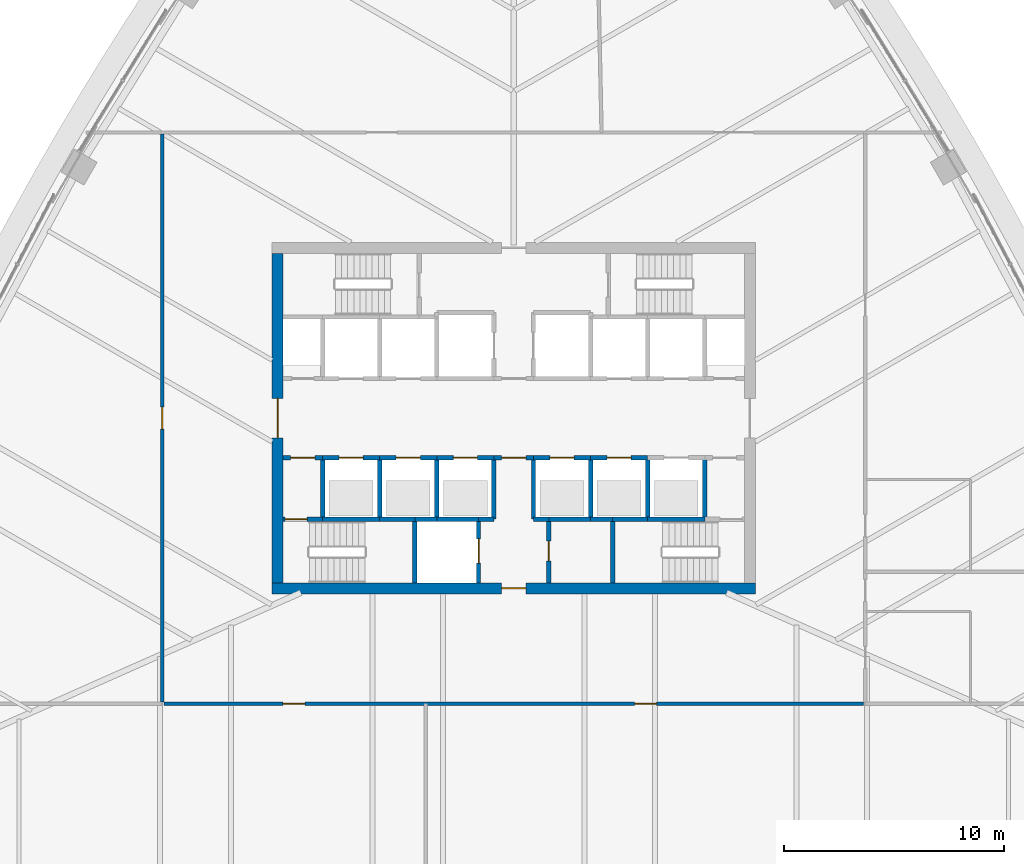
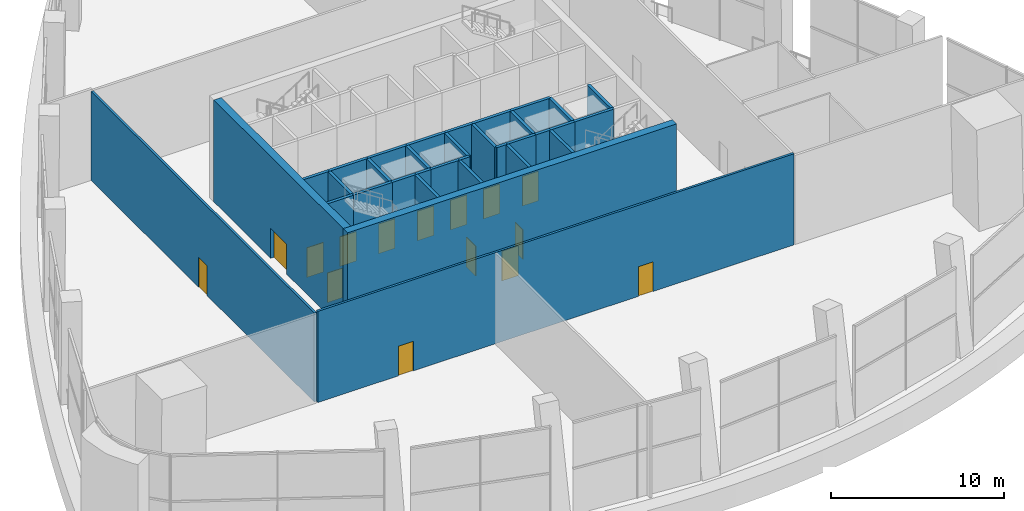
# One storey, part 13 of 23: 34 walls, 15 doors, 15 openings.
"""IFC4 building model written with IfcOpenShell, lengths in metres."""

from ifc_helpers import new_model, si_unit, direction, frame, frame_2d, origin, place, context, subcontext, project, spatial, rectangle, extrude, material, layer, layer_set, type_object, element, fill, save


model = new_model("IFC4")

# Units and contexts
model_context = context("Model", 3, precision=1e-05, world=origin(), true_north=direction((0.0, 1.0)))
body_context = subcontext(model_context, "Body", "Model", "MODEL_VIEW")
ifc_project = project(units=[si_unit("LENGTHUNIT", "METRE"), si_unit("AREAUNIT", "SQUARE_METRE"), si_unit("VOLUMEUNIT", "CUBIC_METRE"), si_unit("PLANEANGLEUNIT", "RADIAN"), si_unit("MASSUNIT", "GRAM", prefix="KILO")], contexts=[model_context])

# Site, building, storey
site_placement = place(None, origin())
site = spatial("IfcSite", under=ifc_project, at=site_placement, CompositionType="ELEMENT")
building_placement = place(site_placement, origin())
building = spatial("IfcBuilding", under=site, at=building_placement, Name="Sierra Prisma Convention Tower", CompositionType="ELEMENT")
storey_placement = place(building_placement, frame((0.0, 0.0, 40.800048828125)))
storey = spatial("IfcBuildingStorey", under=building, at=storey_placement, Name="L06", CompositionType="ELEMENT", Elevation=40.800048828125)

# Wall, opening, door
ifc_material_1 = material(Name="Concrete C30/37", Category="concrete")
ifc_layer_1 = layer(ifc_material_1, 0.199951171875)
ifc_layer_set_1 = layer_set([ifc_layer_1], Name="Core wall RC 200 C30/37")
wall_type_1 = type_object("IfcWallType", Name="Core wall RC 200 C30/37", PredefinedType="SOLIDWALL", material=ifc_layer_set_1)
wall_1_placement = place(storey_placement, frame((-10.5, -4.60009765625, 0.0), z_axis=(0.0, 0.0, 1.0), x_axis=(1.0, 0.0, 0.0)))
wall_1 = element("IfcWall", 1, at=wall_1_placement, inside=storey, type_object=wall_type_1, Name="Core wall L06 1", PredefinedType="SOLIDWALL", context=body_context, shape_type="SweptSolid", body=[
    extrude(rectangle(XDim=1.800048828125, YDim=0.199951171875, at=frame_2d((0.89990234375, 0.0))), origin(), (0.0, 0.0, 1.0), 7.050048828125),
])
opening_1_placement = place(wall_1_placement, frame((0.10009765625, 0.0, 0.0)))
opening_1 = element("IfcOpeningElement", 2, at=opening_1_placement, cuts=wall_1, Name="Opening L06-D020", PredefinedType="OPENING", context=body_context, shape_type="SweptSolid", body=[
    extrude(rectangle(XDim=1.0, YDim=2.10009765625, at=frame_2d((0.5, 1.050048828125))), frame((0.0, 0.10009765625, 0.0), z_axis=(0.0, -1.0, 0.0), x_axis=(1.0, 0.0, 0.0)), (0.0, 0.0, 1.0), 0.199951171875),
])
ifc_material_2 = material(Name="Steel fire door leaf", Category="steel")
door_type_1 = type_object("IfcDoorType", Name="Door 1000x2100 FD90S", OperationType="SINGLE_SWING_LEFT", PredefinedType="DOOR", material=ifc_material_2)
door_1_placement = place(opening_1_placement, origin())
door_1 = element("IfcDoor", 3, at=door_1_placement, inside=storey, type_object=door_type_1, Name="Door L06 29", OperationType="SINGLE_SWING_LEFT", OverallHeight=2.10009765625, OverallWidth=1.0, PredefinedType="DOOR", context=body_context, shape_type="SweptSolid", body=[
    extrude(rectangle(XDim=1.0, YDim=2.10009765625, at=frame_2d((0.5, 1.050048828125))), frame((0.0, 0.02490234375, 0.0), z_axis=(0.0, -1.0, 0.0), x_axis=(1.0, 0.0, 0.0)), (0.0, 0.0, 1.0), 0.050048828125),
])
fill(opening_1, door_1)

wall_2_placement = place(storey_placement, frame((-10.5, -1.800048828125, 0.0), z_axis=(0.0, 0.0, 1.0), x_axis=(1.0, 0.0, 0.0)))
wall_2 = element("IfcWall", 4, at=wall_2_placement, inside=storey, type_object=wall_type_1, Name="Core wall L06 2", PredefinedType="SOLIDWALL", context=body_context, shape_type="SweptSolid", body=[
    extrude(rectangle(XDim=1.800048828125, YDim=0.199951171875, at=frame_2d((0.89990234375, 0.0))), origin(), (0.0, 0.0, 1.0), 7.050048828125),
])
opening_2_placement = place(wall_2_placement, frame((0.35009765625, 0.0, 0.0)))
opening_2 = element("IfcOpeningElement", 5, at=opening_2_placement, cuts=wall_2, Name="Opening L06-D014", PredefinedType="OPENING", context=body_context, shape_type="SweptSolid", body=[
    extrude(rectangle(XDim=1.10009765625, YDim=2.10009765625, at=frame_2d((0.550048828125, 1.050048828125))), frame((0.0, 0.10009765625, 0.0), z_axis=(0.0, -1.0, 0.0), x_axis=(1.0, 0.0, 0.0)), (0.0, 0.0, 1.0), 0.199951171875),
])
ifc_material_3 = material(Name="Steel fire door leaf", Category="steel")
door_type_2 = type_object("IfcDoorType", Name="Door 1100x2100 FD90S", OperationType="SINGLE_SWING_LEFT", PredefinedType="DOOR", material=ifc_material_3)
door_2_placement = place(opening_2_placement, origin())
door_2 = element("IfcDoor", 6, at=door_2_placement, inside=storey, type_object=door_type_2, Name="Door L06 23", OperationType="SINGLE_SWING_LEFT", OverallHeight=2.10009765625, OverallWidth=1.10009765625, PredefinedType="DOOR", context=body_context, shape_type="SweptSolid", body=[
    extrude(rectangle(XDim=1.10009765625, YDim=2.10009765625, at=frame_2d((0.550048828125, 1.050048828125))), frame((0.0, 0.02490234375, 0.0), z_axis=(0.0, -1.0, 0.0), x_axis=(1.0, 0.0, 0.0)), (0.0, 0.0, 1.0), 0.050048828125),
])
fill(opening_2, door_2)

# Walls
wall_3_placement = place(storey_placement, frame((-8.699951171875, -4.60009765625, 0.0), z_axis=(0.0, 0.0, 1.0), x_axis=(1.0, 0.0, 0.0)))
element("IfcWall", 7, at=wall_3_placement, inside=storey, type_object=wall_type_1, Name="Core wall L06 5", PredefinedType="SOLIDWALL", context=body_context, shape_type="SweptSolid", body=[
    extrude(rectangle(XDim=2.599853515625, YDim=0.199951171875, at=frame_2d((1.2998046875, 0.0))), origin(), (0.0, 0.0, 1.0), 7.050048828125),
])
wall_4_placement = place(storey_placement, frame((-8.699951171875, -4.60009765625, 0.0), z_axis=(0.0, 0.0, 1.0), x_axis=(0.0, 1.0, 0.0)))
element("IfcWall", 8, at=wall_4_placement, inside=storey, type_object=wall_type_1, Name="Core wall L06 6", PredefinedType="SOLIDWALL", context=body_context, shape_type="SweptSolid", body=[
    extrude(rectangle(XDim=2.800048828125, YDim=0.199951171875, at=frame_2d((1.39990234375, 0.0))), origin(), (0.0, 0.0, 1.0), 7.050048828125),
])

# Wall, opening, door
wall_5_placement = place(storey_placement, frame((-8.699951171875, -1.800048828125, 0.0), z_axis=(0.0, 0.0, 1.0), x_axis=(1.0, 0.0, 0.0)))
wall_5 = element("IfcWall", 9, at=wall_5_placement, inside=storey, type_object=wall_type_1, Name="Core wall L06 7", PredefinedType="SOLIDWALL", context=body_context, shape_type="SweptSolid", body=[
    extrude(rectangle(XDim=2.599853515625, YDim=0.199951171875, at=frame_2d((1.2998046875, 0.0))), origin(), (0.0, 0.0, 1.0), 7.050048828125),
])
opening_3_placement = place(wall_5_placement, frame((0.75, 0.0, 0.0)))
opening_3 = element("IfcOpeningElement", 10, at=opening_3_placement, cuts=wall_5, Name="Opening L06-D001", PredefinedType="OPENING", context=body_context, shape_type="SweptSolid", body=[
    extrude(rectangle(XDim=1.10009765625, YDim=2.10009765625, at=frame_2d((0.550048828125, 1.050048828125))), frame((0.0, 0.10009765625, 0.0), z_axis=(0.0, -1.0, 0.0), x_axis=(1.0, 0.0, 0.0)), (0.0, 0.0, 1.0), 0.199951171875),
])
ifc_material_4 = material(Name="Steel fire door leaf", Category="steel")
door_type_3 = type_object("IfcDoorType", Name="Door 1100x2100 EI 90 sliding lift landing", OperationType="SLIDING_TO_LEFT", PredefinedType="DOOR", material=ifc_material_4)
door_3_placement = place(opening_3_placement, origin())
door_3 = element("IfcDoor", 11, at=door_3_placement, inside=storey, type_object=door_type_3, Name="Door L06 10", OperationType="SLIDING_TO_RIGHT", OverallHeight=2.10009765625, OverallWidth=1.10009765625, PredefinedType="DOOR", context=body_context, shape_type="SweptSolid", body=[
    extrude(rectangle(XDim=1.10009765625, YDim=2.10009765625, at=frame_2d((0.550048828125, 1.050048828125))), frame((0.0, 0.02490234375, 0.0), z_axis=(0.0, -1.0, 0.0), x_axis=(1.0, 0.0, 0.0)), (0.0, 0.0, 1.0), 0.050048828125),
])
fill(opening_3, door_3)

# Walls
wall_6_placement = place(storey_placement, frame((-6.10009765625, -4.60009765625, 0.0), z_axis=(0.0, 0.0, 1.0), x_axis=(1.0, 0.0, 0.0)))
element("IfcWall", 12, at=wall_6_placement, inside=storey, type_object=wall_type_1, Name="Core wall L06 11", PredefinedType="SOLIDWALL", context=body_context, shape_type="SweptSolid", body=[
    extrude(rectangle(XDim=1.60009765625, YDim=0.199951171875, at=frame_2d((0.800048828125, 0.0))), origin(), (0.0, 0.0, 1.0), 7.050048828125),
])
wall_7_placement = place(storey_placement, frame((-6.10009765625, -4.60009765625, 0.0), z_axis=(0.0, 0.0, 1.0), x_axis=(0.0, 1.0, 0.0)))
element("IfcWall", 13, at=wall_7_placement, inside=storey, type_object=wall_type_1, Name="Core wall L06 12", PredefinedType="SOLIDWALL", context=body_context, shape_type="SweptSolid", body=[
    extrude(rectangle(XDim=2.800048828125, YDim=0.199951171875, at=frame_2d((1.39990234375, 0.0))), origin(), (0.0, 0.0, 1.0), 7.050048828125),
])

# Wall, opening, door
wall_8_placement = place(storey_placement, frame((-6.10009765625, -1.800048828125, 0.0), z_axis=(0.0, 0.0, 1.0), x_axis=(1.0, 0.0, 0.0)))
wall_8 = element("IfcWall", 14, at=wall_8_placement, inside=storey, type_object=wall_type_1, Name="Core wall L06 13", PredefinedType="SOLIDWALL", context=body_context, shape_type="SweptSolid", body=[
    extrude(rectangle(XDim=2.60009765625, YDim=0.199951171875, at=frame_2d((1.300048828125, 0.0))), origin(), (0.0, 0.0, 1.0), 7.050048828125),
])
opening_4_placement = place(wall_8_placement, frame((0.75, 0.0, 0.0)))
opening_4 = element("IfcOpeningElement", 15, at=opening_4_placement, cuts=wall_8, Name="Opening L06-D002", PredefinedType="OPENING", context=body_context, shape_type="SweptSolid", body=[
    extrude(rectangle(XDim=1.10009765625, YDim=2.10009765625, at=frame_2d((0.550048828125, 1.050048828125))), frame((0.0, 0.10009765625, 0.0), z_axis=(0.0, -1.0, 0.0), x_axis=(1.0, 0.0, 0.0)), (0.0, 0.0, 1.0), 0.199951171875),
])
door_4_placement = place(opening_4_placement, origin())
door_4 = element("IfcDoor", 16, at=door_4_placement, inside=storey, type_object=door_type_3, Name="Door L06 11", OperationType="SLIDING_TO_LEFT", OverallHeight=2.10009765625, OverallWidth=1.10009765625, PredefinedType="DOOR", context=body_context, shape_type="SweptSolid", body=[
    extrude(rectangle(XDim=1.10009765625, YDim=2.10009765625, at=frame_2d((0.550048828125, 1.050048828125))), frame((0.0, 0.02490234375, 0.0), z_axis=(0.0, -1.0, 0.0), x_axis=(1.0, 0.0, 0.0)), (0.0, 0.0, 1.0), 0.050048828125),
])
fill(opening_4, door_4)

# Walls
wall_9_placement = place(storey_placement, frame((-4.5, -4.60009765625, 0.0), z_axis=(0.0, 0.0, 1.0), x_axis=(0.0, -1.0, 0.0)))
element("IfcWall", 17, at=wall_9_placement, inside=storey, type_object=wall_type_1, Name="Core wall L06 17", PredefinedType="SOLIDWALL", context=body_context, shape_type="SweptSolid", body=[
    extrude(rectangle(XDim=2.89990234375, YDim=0.199951171875, at=frame_2d((1.449951171875, 0.0))), origin(), (0.0, 0.0, 1.0), 7.050048828125),
])
wall_10_placement = place(storey_placement, frame((-4.5, -4.60009765625, 0.0), z_axis=(0.0, 0.0, 1.0), x_axis=(1.0, 0.0, 0.0)))
element("IfcWall", 18, at=wall_10_placement, inside=storey, type_object=wall_type_1, Name="Core wall L06 18", PredefinedType="SOLIDWALL", context=body_context, shape_type="SweptSolid", body=[
    extrude(rectangle(XDim=1.0, YDim=0.199951171875, at=frame_2d((0.5, 0.0))), origin(), (0.0, 0.0, 1.0), 7.050048828125),
])
wall_11_placement = place(storey_placement, frame((-3.5, -4.60009765625, 0.0), z_axis=(0.0, 0.0, 1.0), x_axis=(1.0, 0.0, 0.0)))
element("IfcWall", 19, at=wall_11_placement, inside=storey, type_object=wall_type_1, Name="Core wall L06 21", PredefinedType="SOLIDWALL", context=body_context, shape_type="SweptSolid", body=[
    extrude(rectangle(XDim=1.89990234375, YDim=0.199951171875, at=frame_2d((0.949951171875, 0.0))), origin(), (0.0, 0.0, 1.0), 7.050048828125),
])
wall_12_placement = place(storey_placement, frame((-3.5, -4.60009765625, 0.0), z_axis=(0.0, 0.0, 1.0), x_axis=(0.0, 1.0, 0.0)))
element("IfcWall", 20, at=wall_12_placement, inside=storey, type_object=wall_type_1, Name="Core wall L06 22", PredefinedType="SOLIDWALL", context=body_context, shape_type="SweptSolid", body=[
    extrude(rectangle(XDim=2.800048828125, YDim=0.199951171875, at=frame_2d((1.39990234375, 0.0))), origin(), (0.0, 0.0, 1.0), 7.050048828125),
])

# Wall, opening, door
wall_13_placement = place(storey_placement, frame((-3.5, -1.800048828125, 0.0), z_axis=(0.0, 0.0, 1.0), x_axis=(1.0, 0.0, 0.0)))
wall_13 = element("IfcWall", 21, at=wall_13_placement, inside=storey, type_object=wall_type_1, Name="Core wall L06 23", PredefinedType="SOLIDWALL", context=body_context, shape_type="SweptSolid", body=[
    extrude(rectangle(XDim=2.60009765625, YDim=0.199951171875, at=frame_2d((1.300048828125, 0.0))), origin(), (0.0, 0.0, 1.0), 7.050048828125),
])
opening_5_placement = place(wall_13_placement, frame((0.75, 0.0, 0.0)))
opening_5 = element("IfcOpeningElement", 22, at=opening_5_placement, cuts=wall_13, Name="Opening L06-D003", PredefinedType="OPENING", context=body_context, shape_type="SweptSolid", body=[
    extrude(rectangle(XDim=1.10009765625, YDim=2.10009765625, at=frame_2d((0.550048828125, 1.050048828125))), frame((0.0, 0.10009765625, 0.0), z_axis=(0.0, -1.0, 0.0), x_axis=(1.0, 0.0, 0.0)), (0.0, 0.0, 1.0), 0.199951171875),
])
door_5_placement = place(opening_5_placement, origin())
door_5 = element("IfcDoor", 23, at=door_5_placement, inside=storey, type_object=door_type_3, Name="Door L06 12", OperationType="SLIDING_TO_LEFT", OverallHeight=2.10009765625, OverallWidth=1.10009765625, PredefinedType="DOOR", context=body_context, shape_type="SweptSolid", body=[
    extrude(rectangle(XDim=1.10009765625, YDim=2.10009765625, at=frame_2d((0.550048828125, 1.050048828125))), frame((0.0, 0.02490234375, 0.0), z_axis=(0.0, -1.0, 0.0), x_axis=(1.0, 0.0, 0.0)), (0.0, 0.0, 1.0), 0.050048828125),
])
fill(opening_5, door_5)

wall_14_placement = place(storey_placement, frame((-1.60009765625, -7.5, 0.0), z_axis=(0.0, 0.0, 1.0), x_axis=(0.0, 1.0, 0.0)))
wall_14 = element("IfcWall", 24, at=wall_14_placement, inside=storey, type_object=wall_type_1, Name="Core wall L06 29", PredefinedType="SOLIDWALL", context=body_context, shape_type="SweptSolid", body=[
    extrude(rectangle(XDim=2.89990234375, YDim=0.199951171875, at=frame_2d((1.449951171875, 0.0))), origin(), (0.0, 0.0, 1.0), 7.050048828125),
])
opening_6_placement = place(wall_14_placement, frame((0.89990234375, 0.0, 0.0)))
opening_6 = element("IfcOpeningElement", 25, at=opening_6_placement, cuts=wall_14, Name="Opening L06-D013", PredefinedType="OPENING", context=body_context, shape_type="SweptSolid", body=[
    extrude(rectangle(XDim=1.10009765625, YDim=2.10009765625, at=frame_2d((0.550048828125, 1.050048828125))), frame((0.0, 0.10009765625, 0.0), z_axis=(0.0, -1.0, 0.0), x_axis=(1.0, 0.0, 0.0)), (0.0, 0.0, 1.0), 0.199951171875),
])
door_6_placement = place(opening_6_placement, origin())
door_6 = element("IfcDoor", 26, at=door_6_placement, inside=storey, type_object=door_type_3, Name="Door L06 22", OperationType="SLIDING_TO_LEFT", OverallHeight=2.10009765625, OverallWidth=1.10009765625, PredefinedType="DOOR", context=body_context, shape_type="SweptSolid", body=[
    extrude(rectangle(XDim=1.10009765625, YDim=2.10009765625, at=frame_2d((0.550048828125, 1.050048828125))), frame((0.0, 0.02490234375, 0.0), z_axis=(0.0, -1.0, 0.0), x_axis=(1.0, 0.0, 0.0)), (0.0, 0.0, 1.0), 0.050048828125),
])
fill(opening_6, door_6)

# Walls
wall_15_placement = place(storey_placement, frame((-1.60009765625, -4.60009765625, 0.0), z_axis=(0.0, 0.0, 1.0), x_axis=(1.0, 0.0, 0.0)))
element("IfcWall", 27, at=wall_15_placement, inside=storey, type_object=wall_type_1, Name="Core wall L06 30", PredefinedType="SOLIDWALL", context=body_context, shape_type="SweptSolid", body=[
    extrude(rectangle(XDim=0.7001953125, YDim=0.199951171875, at=frame_2d((0.35009765625, 0.0))), origin(), (0.0, 0.0, 1.0), 7.050048828125),
])
wall_16_placement = place(storey_placement, frame((-0.89990234375, -4.60009765625, 0.0), z_axis=(0.0, 0.0, 1.0), x_axis=(0.0, 1.0, 0.0)))
element("IfcWall", 28, at=wall_16_placement, inside=storey, type_object=wall_type_1, Name="Core wall L06 31", PredefinedType="SOLIDWALL", context=body_context, shape_type="SweptSolid", body=[
    extrude(rectangle(XDim=2.800048828125, YDim=0.199951171875, at=frame_2d((1.39990234375, 0.0))), origin(), (0.0, 0.0, 1.0), 7.050048828125),
])

# Wall, opening, door
wall_17_placement = place(storey_placement, frame((-0.89990234375, -1.800048828125, 0.0), z_axis=(0.0, 0.0, 1.0), x_axis=(1.0, 0.0, 0.0)))
wall_17 = element("IfcWall", 29, at=wall_17_placement, inside=storey, type_object=wall_type_1, Name="Core wall L06 32", PredefinedType="SOLIDWALL", context=body_context, shape_type="SweptSolid", body=[
    extrude(rectangle(XDim=1.7998046875, YDim=0.199951171875, at=frame_2d((0.89990234375, 0.0))), origin(), (0.0, 0.0, 1.0), 7.050048828125),
])
opening_7_placement = place(wall_17_placement, frame((0.35009765625, 0.0, 0.0)))
opening_7 = element("IfcOpeningElement", 30, at=opening_7_placement, cuts=wall_17, Name="Opening L06-D017", PredefinedType="OPENING", context=body_context, shape_type="SweptSolid", body=[
    extrude(rectangle(XDim=1.10009765625, YDim=2.10009765625, at=frame_2d((0.550048828125, 1.050048828125))), frame((0.0, 0.10009765625, 0.0), z_axis=(0.0, -1.0, 0.0), x_axis=(1.0, 0.0, 0.0)), (0.0, 0.0, 1.0), 0.199951171875),
])
ifc_material_5 = material(Name="Steel fire door leaf", Category="steel")
door_type_4 = type_object("IfcDoorType", Name="Door 1100x2100 FD30S", OperationType="SINGLE_SWING_LEFT", PredefinedType="DOOR", material=ifc_material_5)
door_7_placement = place(opening_7_placement, origin())
door_7 = element("IfcDoor", 31, at=door_7_placement, inside=storey, type_object=door_type_4, Name="Door L06 26", OperationType="SINGLE_SWING_RIGHT", OverallHeight=2.10009765625, OverallWidth=1.10009765625, PredefinedType="DOOR", context=body_context, shape_type="SweptSolid", body=[
    extrude(rectangle(XDim=1.10009765625, YDim=2.10009765625, at=frame_2d((0.550048828125, 1.050048828125))), frame((0.0, 0.02490234375, 0.0), z_axis=(0.0, -1.0, 0.0), x_axis=(1.0, 0.0, 0.0)), (0.0, 0.0, 1.0), 0.050048828125),
])
fill(opening_7, door_7)

wall_18_placement = place(storey_placement, frame((0.89990234375, -1.800048828125, 0.0), z_axis=(0.0, 0.0, 1.0), x_axis=(1.0, 0.0, 0.0)))
wall_18 = element("IfcWall", 32, at=wall_18_placement, inside=storey, type_object=wall_type_1, Name="Core wall L06 34", PredefinedType="SOLIDWALL", context=body_context, shape_type="SweptSolid", body=[
    extrude(rectangle(XDim=2.60009765625, YDim=0.199951171875, at=frame_2d((1.300048828125, 0.0))), origin(), (0.0, 0.0, 1.0), 7.050048828125),
])
opening_8_placement = place(wall_18_placement, frame((0.75, 0.0, 0.0)))
opening_8 = element("IfcOpeningElement", 33, at=opening_8_placement, cuts=wall_18, Name="Opening L06-D004", PredefinedType="OPENING", context=body_context, shape_type="SweptSolid", body=[
    extrude(rectangle(XDim=1.10009765625, YDim=2.10009765625, at=frame_2d((0.550048828125, 1.050048828125))), frame((0.0, 0.10009765625, 0.0), z_axis=(0.0, -1.0, 0.0), x_axis=(1.0, 0.0, 0.0)), (0.0, 0.0, 1.0), 0.199951171875),
])
door_8_placement = place(opening_8_placement, origin())
door_8 = element("IfcDoor", 34, at=door_8_placement, inside=storey, type_object=door_type_3, Name="Door L06 13", OperationType="SLIDING_TO_LEFT", OverallHeight=2.10009765625, OverallWidth=1.10009765625, PredefinedType="DOOR", context=body_context, shape_type="SweptSolid", body=[
    extrude(rectangle(XDim=1.10009765625, YDim=2.10009765625, at=frame_2d((0.550048828125, 1.050048828125))), frame((0.0, 0.02490234375, 0.0), z_axis=(0.0, -1.0, 0.0), x_axis=(1.0, 0.0, 0.0)), (0.0, 0.0, 1.0), 0.050048828125),
])
fill(opening_8, door_8)

# Walls
wall_19_placement = place(storey_placement, frame((0.89990234375, -1.800048828125, 0.0), z_axis=(0.0, 0.0, 1.0), x_axis=(0.0, -1.0, 0.0)))
element("IfcWall", 35, at=wall_19_placement, inside=storey, type_object=wall_type_1, Name="Core wall L06 35", PredefinedType="SOLIDWALL", context=body_context, shape_type="SweptSolid", body=[
    extrude(rectangle(XDim=2.800048828125, YDim=0.199951171875, at=frame_2d((1.39990234375, 0.0))), origin(), (0.0, 0.0, 1.0), 7.050048828125),
])
wall_20_placement = place(storey_placement, frame((0.89990234375, -4.60009765625, 0.0), z_axis=(0.0, 0.0, 1.0), x_axis=(1.0, 0.0, 0.0)))
element("IfcWall", 36, at=wall_20_placement, inside=storey, type_object=wall_type_1, Name="Core wall L06 36", PredefinedType="SOLIDWALL", context=body_context, shape_type="SweptSolid", body=[
    extrude(rectangle(XDim=0.7001953125, YDim=0.199951171875, at=frame_2d((0.35009765625, 0.0))), origin(), (0.0, 0.0, 1.0), 7.050048828125),
])

# Wall, opening, door
wall_21_placement = place(storey_placement, frame((1.60009765625, -4.60009765625, 0.0), z_axis=(0.0, 0.0, 1.0), x_axis=(0.0, -1.0, 0.0)))
wall_21 = element("IfcWall", 37, at=wall_21_placement, inside=storey, type_object=wall_type_1, Name="Core wall L06 41", PredefinedType="SOLIDWALL", context=body_context, shape_type="SweptSolid", body=[
    extrude(rectangle(XDim=2.89990234375, YDim=0.199951171875, at=frame_2d((1.449951171875, 0.0))), origin(), (0.0, 0.0, 1.0), 7.050048828125),
])
opening_9_placement = place(wall_21_placement, frame((1.0, 0.0, 0.0)))
opening_9 = element("IfcOpeningElement", 38, at=opening_9_placement, cuts=wall_21, Name="Opening L06-D024", PredefinedType="OPENING", context=body_context, shape_type="SweptSolid", body=[
    extrude(rectangle(XDim=0.89990234375, YDim=2.10009765625, at=frame_2d((0.449951171875, 1.050048828125))), frame((0.0, 0.10009765625, 0.0), z_axis=(0.0, -1.0, 0.0), x_axis=(1.0, 0.0, 0.0)), (0.0, 0.0, 1.0), 0.199951171875),
])
ifc_material_6 = material(Name="Steel fire door leaf", Category="steel")
door_type_5 = type_object("IfcDoorType", Name="Door 900x2100 FD30S", OperationType="SINGLE_SWING_LEFT", PredefinedType="DOOR", material=ifc_material_6)
door_9_placement = place(opening_9_placement, origin())
door_9 = element("IfcDoor", 39, at=door_9_placement, inside=storey, type_object=door_type_5, Name="Door L06 33", OperationType="SINGLE_SWING_RIGHT", OverallHeight=2.10009765625, OverallWidth=0.89990234375, PredefinedType="DOOR", context=body_context, shape_type="SweptSolid", body=[
    extrude(rectangle(XDim=0.89990234375, YDim=2.10009765625, at=frame_2d((0.449951171875, 1.050048828125))), frame((0.0, 0.02490234375, 0.0), z_axis=(0.0, -1.0, 0.0), x_axis=(1.0, 0.0, 0.0)), (0.0, 0.0, 1.0), 0.050048828125),
])
fill(opening_9, door_9)

# Walls
wall_22_placement = place(storey_placement, frame((3.5, -4.60009765625, 0.0), z_axis=(0.0, 0.0, 1.0), x_axis=(-1.0, 0.0, 0.0)))
element("IfcWall", 40, at=wall_22_placement, inside=storey, type_object=wall_type_1, Name="Core wall L06 42", PredefinedType="SOLIDWALL", context=body_context, shape_type="SweptSolid", body=[
    extrude(rectangle(XDim=1.89990234375, YDim=0.199951171875, at=frame_2d((0.949951171875, 0.0))), origin(), (0.0, 0.0, 1.0), 7.050048828125),
])
wall_23_placement = place(storey_placement, frame((4.5, -4.60009765625, 0.0), z_axis=(0.0, 0.0, 1.0), x_axis=(-1.0, 0.0, 0.0)))
element("IfcWall", 41, at=wall_23_placement, inside=storey, type_object=wall_type_1, Name="Core wall L06 43", PredefinedType="SOLIDWALL", context=body_context, shape_type="SweptSolid", body=[
    extrude(rectangle(XDim=1.0, YDim=0.199951171875, at=frame_2d((0.5, 0.0))), origin(), (0.0, 0.0, 1.0), 7.050048828125),
])
wall_24_placement = place(storey_placement, frame((3.5, -4.60009765625, 0.0), z_axis=(0.0, 0.0, 1.0), x_axis=(0.0, 1.0, 0.0)))
element("IfcWall", 42, at=wall_24_placement, inside=storey, type_object=wall_type_1, Name="Core wall L06 44", PredefinedType="SOLIDWALL", context=body_context, shape_type="SweptSolid", body=[
    extrude(rectangle(XDim=2.800048828125, YDim=0.199951171875, at=frame_2d((1.39990234375, 0.0))), origin(), (0.0, 0.0, 1.0), 7.050048828125),
])

# Wall, opening, door
wall_25_placement = place(storey_placement, frame((3.5, -1.800048828125, 0.0), z_axis=(0.0, 0.0, 1.0), x_axis=(1.0, 0.0, 0.0)))
wall_25 = element("IfcWall", 43, at=wall_25_placement, inside=storey, type_object=wall_type_1, Name="Core wall L06 45", PredefinedType="SOLIDWALL", context=body_context, shape_type="SweptSolid", body=[
    extrude(rectangle(XDim=2.60009765625, YDim=0.199951171875, at=frame_2d((1.300048828125, 0.0))), origin(), (0.0, 0.0, 1.0), 7.050048828125),
])
opening_10_placement = place(wall_25_placement, frame((0.75, 0.0, 0.0)))
opening_10 = element("IfcOpeningElement", 44, at=opening_10_placement, cuts=wall_25, Name="Opening L06-D005", PredefinedType="OPENING", context=body_context, shape_type="SweptSolid", body=[
    extrude(rectangle(XDim=1.10009765625, YDim=2.10009765625, at=frame_2d((0.550048828125, 1.050048828125))), frame((0.0, 0.10009765625, 0.0), z_axis=(0.0, -1.0, 0.0), x_axis=(1.0, 0.0, 0.0)), (0.0, 0.0, 1.0), 0.199951171875),
])
door_10_placement = place(opening_10_placement, origin())
door_10 = element("IfcDoor", 45, at=door_10_placement, inside=storey, type_object=door_type_3, Name="Door L06 14", OperationType="SLIDING_TO_LEFT", OverallHeight=2.10009765625, OverallWidth=1.10009765625, PredefinedType="DOOR", context=body_context, shape_type="SweptSolid", body=[
    extrude(rectangle(XDim=1.10009765625, YDim=2.10009765625, at=frame_2d((0.550048828125, 1.050048828125))), frame((0.0, 0.02490234375, 0.0), z_axis=(0.0, -1.0, 0.0), x_axis=(1.0, 0.0, 0.0)), (0.0, 0.0, 1.0), 0.050048828125),
])
fill(opening_10, door_10)

# Walls
wall_26_placement = place(storey_placement, frame((4.5, -7.5, 0.0), z_axis=(0.0, 0.0, 1.0), x_axis=(0.0, 1.0, 0.0)))
element("IfcWall", 46, at=wall_26_placement, inside=storey, type_object=wall_type_1, Name="Core wall L06 51", PredefinedType="SOLIDWALL", context=body_context, shape_type="SweptSolid", body=[
    extrude(rectangle(XDim=2.89990234375, YDim=0.199951171875, at=frame_2d((1.449951171875, 0.0))), origin(), (0.0, 0.0, 1.0), 7.050048828125),
])
wall_27_placement = place(storey_placement, frame((4.5, -4.60009765625, 0.0), z_axis=(0.0, 0.0, 1.0), x_axis=(1.0, 0.0, 0.0)))
element("IfcWall", 47, at=wall_27_placement, inside=storey, type_object=wall_type_1, Name="Core wall L06 52", PredefinedType="SOLIDWALL", context=body_context, shape_type="SweptSolid", body=[
    extrude(rectangle(XDim=1.60009765625, YDim=0.199951171875, at=frame_2d((0.800048828125, 0.0))), origin(), (0.0, 0.0, 1.0), 7.050048828125),
])
wall_28_placement = place(storey_placement, frame((6.10009765625, -4.60009765625, 0.0), z_axis=(0.0, 0.0, 1.0), x_axis=(1.0, 0.0, 0.0)))
element("IfcWall", 48, at=wall_28_placement, inside=storey, type_object=wall_type_1, Name="Core wall L06 53", PredefinedType="SOLIDWALL", context=body_context, shape_type="SweptSolid", body=[
    extrude(rectangle(XDim=2.599853515625, YDim=0.199951171875, at=frame_2d((1.2998046875, 0.0))), origin(), (0.0, 0.0, 1.0), 7.050048828125),
])
for number, where, z_axis, x_axis, name in (
    (49, (6.10009765625, -4.60009765625, 0.0), (0.0, 0.0, 1.0), (0.0, 1.0, 0.0), "Core wall L06 54"),
    (50, (8.699951171875, -1.800048828125, 0.0), (0.0, 0.0, 1.0), (0.0, -1.0, 0.0), "Core wall L06 60"),
):
    element("IfcWall", number, at=place(storey_placement, frame(where, z_axis=z_axis, x_axis=x_axis)), inside=storey, type_object=wall_type_1, Name=name, PredefinedType="SOLIDWALL", context=body_context, shape_type="SweptSolid", body=[
        extrude(rectangle(XDim=2.800048828125, YDim=0.199951171875, at=frame_2d((1.39990234375, 0.0))), origin(), (0.0, 0.0, 1.0), 7.050048828125),
    ])

# Wall, opening, door
ifc_material_7 = material(Name="Concrete C60/75", Category="concrete")
ifc_layer_2 = layer(ifc_material_7, 0.5)
ifc_layer_set_2 = layer_set([ifc_layer_2], Name="Core wall RC 500 C60/75")
wall_type_2 = type_object("IfcWallType", Name="Core wall RC 500 C60/75", PredefinedType="SHEAR", material=ifc_layer_set_2)
wall_29_placement = place(storey_placement, frame((-11.0, -7.75, 0.0), z_axis=(0.0, 0.0, 1.0), x_axis=(1.0, 0.0, 0.0)))
wall_29 = element("IfcWall", 51, at=wall_29_placement, inside=storey, type_object=wall_type_2, Name="Core wall S L06", PredefinedType="SHEAR", context=body_context, shape_type="SweptSolid", body=[
    extrude(rectangle(XDim=22.0, YDim=0.5, at=frame_2d((11.0, 0.0))), origin(), (0.0, 0.0, 1.0), 7.199951171875),
])
opening_11_placement = place(wall_29_placement, frame((10.449951171875, 0.0, 0.0)))
opening_11 = element("IfcOpeningElement", 52, at=opening_11_placement, cuts=wall_29, Name="Opening L06-D036", PredefinedType="OPENING", context=body_context, shape_type="SweptSolid", body=[
    extrude(rectangle(XDim=1.10009765625, YDim=2.10009765625, at=frame_2d((0.550048828125, 1.050048828125))), frame((0.0, 0.25, 0.0), z_axis=(0.0, -1.0, 0.0), x_axis=(1.0, 0.0, 0.0)), (0.0, 0.0, 1.0), 0.5),
])
door_11_placement = place(opening_11_placement, origin())
door_11 = element("IfcDoor", 53, at=door_11_placement, inside=storey, type_object=door_type_4, Name="Door L06 37", OperationType="SINGLE_SWING_RIGHT", OverallHeight=2.10009765625, OverallWidth=1.10009765625, PredefinedType="DOOR", context=body_context, shape_type="SweptSolid", body=[
    extrude(rectangle(XDim=1.10009765625, YDim=2.10009765625, at=frame_2d((0.550048828125, 1.050048828125))), frame((0.0, 0.02490234375, 0.0), z_axis=(0.0, -1.0, 0.0), x_axis=(1.0, 0.0, 0.0)), (0.0, 0.0, 1.0), 0.050048828125),
])
fill(opening_11, door_11)

wall_30_placement = place(storey_placement, frame((-10.75, -7.5, 0.0), z_axis=(0.0, 0.0, 1.0), x_axis=(0.0, 1.0, 0.0)))
wall_30 = element("IfcWall", 54, at=wall_30_placement, inside=storey, type_object=wall_type_2, Name="Core wall W L06", PredefinedType="SHEAR", context=body_context, shape_type="SweptSolid", body=[
    extrude(rectangle(XDim=15.0, YDim=0.5, at=frame_2d((7.5, 0.0))), origin(), (0.0, 0.0, 1.0), 7.199951171875),
])
opening_12_placement = place(wall_30_placement, frame((6.60009765625, 0.0, 0.0)))
opening_12 = element("IfcOpeningElement", 55, at=opening_12_placement, cuts=wall_30, Name="Opening L06-D037", PredefinedType="OPENING", context=body_context, shape_type="SweptSolid", body=[
    extrude(rectangle(XDim=1.800048828125, YDim=2.10009765625, at=frame_2d((0.89990234375, 1.050048828125))), frame((0.0, 0.25, 0.0), z_axis=(0.0, -1.0, 0.0), x_axis=(1.0, 0.0, 0.0)), (0.0, 0.0, 1.0), 0.5),
])
ifc_material_8 = material(Name="Steel fire door leaf", Category="steel")
door_type_6 = type_object("IfcDoorType", Name="Door 1800x2100 FD60S", OperationType="DOUBLE_DOOR_SINGLE_SWING", PredefinedType="DOOR", material=ifc_material_8)
door_12_placement = place(opening_12_placement, origin())
door_12 = element("IfcDoor", 56, at=door_12_placement, inside=storey, type_object=door_type_6, Name="Door L06 34", OperationType="DOUBLE_DOOR_SINGLE_SWING", OverallHeight=2.10009765625, OverallWidth=1.800048828125, PredefinedType="DOOR", context=body_context, shape_type="SweptSolid", body=[
    extrude(rectangle(XDim=1.800048828125, YDim=2.10009765625, at=frame_2d((0.89990234375, 1.050048828125))), frame((0.0, 0.02490234375, 0.0), z_axis=(0.0, -1.0, 0.0), x_axis=(1.0, 0.0, 0.0)), (0.0, 0.0, 1.0), 0.050048828125),
])
fill(opening_12, door_12)

ifc_material_9 = material(Name="Gypsum board partition", Category="gypsum")
ifc_layer_3 = layer(ifc_material_9, 0.14990234375)
ifc_layer_set_3 = layer_set([ifc_layer_3], Name="Corridor wall 150 gypsum EI 60")
wall_type_3 = type_object("IfcWallType", Name="Corridor wall 150 gypsum EI 60", PredefinedType="PARTITIONING", material=ifc_layer_set_3)
wall_31_placement = place(storey_placement, frame((-16.0, 12.919921875, 0.0), z_axis=(0.0, 0.0, 1.0), x_axis=(0.0, -1.0, 0.0)))
wall_31 = element("IfcWall", 57, at=wall_31_placement, inside=storey, type_object=wall_type_3, Name="Partition L06 corr 1", PredefinedType="PARTITIONING", context=body_context, shape_type="SweptSolid", body=[
    extrude(rectangle(XDim=25.83984375, YDim=0.14990234375, at=frame_2d((12.919921875, 0.0))), origin(), (0.0, 0.0, 1.0), 6.296875),
])
opening_13_placement = place(wall_31_placement, frame((12.419921875, 0.0, 0.0)))
opening_13 = element("IfcOpeningElement", 58, at=opening_13_placement, cuts=wall_31, Name="Opening L06-D029", PredefinedType="OPENING", context=body_context, shape_type="SweptSolid", body=[
    extrude(rectangle(XDim=1.0, YDim=2.10009765625, at=frame_2d((0.5, 1.050048828125))), frame((0.0, 0.074951171875, 0.0), z_axis=(0.0, -1.0, 0.0), x_axis=(1.0, 0.0, 0.0)), (0.0, 0.0, 1.0), 0.14990234375),
])
ifc_material_10 = material(Name="Steel fire door leaf", Category="steel")
door_type_7 = type_object("IfcDoorType", Name="Door 1000x2100 FD30S", OperationType="SINGLE_SWING_LEFT", PredefinedType="DOOR", material=ifc_material_10)
door_13_placement = place(opening_13_placement, origin())
door_13 = element("IfcDoor", 59, at=door_13_placement, inside=storey, type_object=door_type_7, Name="Door L06 5", OperationType="SINGLE_SWING_RIGHT", OverallHeight=2.10009765625, OverallWidth=1.0, PredefinedType="DOOR", context=body_context, shape_type="SweptSolid", body=[
    extrude(rectangle(XDim=1.0, YDim=2.10009765625, at=frame_2d((0.5, 1.050048828125))), frame((0.0, 0.02490234375, 0.0), z_axis=(0.0, -1.0, 0.0), x_axis=(1.0, 0.0, 0.0)), (0.0, 0.0, 1.0), 0.050048828125),
])
fill(opening_13, door_13)

# Wall, openings, doors
wall_32_placement = place(storey_placement, frame((-15.919921875, -13.0, 0.0), z_axis=(0.0, 0.0, 1.0), x_axis=(1.0, 0.0, 0.0)))
wall_32 = element("IfcWall", 60, at=wall_32_placement, inside=storey, type_object=wall_type_3, Name="Partition L06 corr 2", PredefinedType="PARTITIONING", context=body_context, shape_type="SweptSolid", body=[
    extrude(rectangle(XDim=31.83984375, YDim=0.14990234375, at=frame_2d((15.919921875, 0.0))), origin(), (0.0, 0.0, 1.0), 6.447021484375),
])
opening_14_placement = place(wall_32_placement, frame((5.409912109375, 0.0, 0.0)))
opening_14 = element("IfcOpeningElement", 61, at=opening_14_placement, cuts=wall_32, Name="Opening L06-D030", PredefinedType="OPENING", context=body_context, shape_type="SweptSolid", body=[
    extrude(rectangle(XDim=1.0, YDim=2.10009765625, at=frame_2d((0.5, 1.050048828125))), frame((0.0, 0.074951171875, 0.0), z_axis=(0.0, -1.0, 0.0), x_axis=(1.0, 0.0, 0.0)), (0.0, 0.0, 1.0), 0.14990234375),
])
opening_15_placement = place(wall_32_placement, frame((21.429931640625, 0.0, 0.0)))
opening_15 = element("IfcOpeningElement", 62, at=opening_15_placement, cuts=wall_32, Name="Opening L06-D031", PredefinedType="OPENING", context=body_context, shape_type="SweptSolid", body=[
    extrude(rectangle(XDim=1.0, YDim=2.10009765625, at=frame_2d((0.5, 1.050048828125))), frame((0.0, 0.074951171875, 0.0), z_axis=(0.0, -1.0, 0.0), x_axis=(1.0, 0.0, 0.0)), (0.0, 0.0, 1.0), 0.14990234375),
])
door_14_placement = place(opening_14_placement, origin())
door_14 = element("IfcDoor", 63, at=door_14_placement, inside=storey, type_object=door_type_7, Name="Door L06 6", OperationType="SINGLE_SWING_RIGHT", OverallHeight=2.10009765625, OverallWidth=1.0, PredefinedType="DOOR", context=body_context, shape_type="SweptSolid", body=[
    extrude(rectangle(XDim=1.0, YDim=2.10009765625, at=frame_2d((0.5, 1.050048828125))), frame((0.0, 0.02490234375, 0.0), z_axis=(0.0, -1.0, 0.0), x_axis=(1.0, 0.0, 0.0)), (0.0, 0.0, 1.0), 0.050048828125),
])
fill(opening_14, door_14)
door_15_placement = place(opening_15_placement, origin())
door_15 = element("IfcDoor", 64, at=door_15_placement, inside=storey, type_object=door_type_7, Name="Door L06 7", OperationType="SINGLE_SWING_LEFT", OverallHeight=2.10009765625, OverallWidth=1.0, PredefinedType="DOOR", context=body_context, shape_type="SweptSolid", body=[
    extrude(rectangle(XDim=1.0, YDim=2.10009765625, at=frame_2d((0.5, 1.050048828125))), frame((0.0, 0.02490234375, 0.0), z_axis=(0.0, -1.0, 0.0), x_axis=(1.0, 0.0, 0.0)), (0.0, 0.0, 1.0), 0.050048828125),
])
fill(opening_15, door_15)

save(model, "model.ifc")
